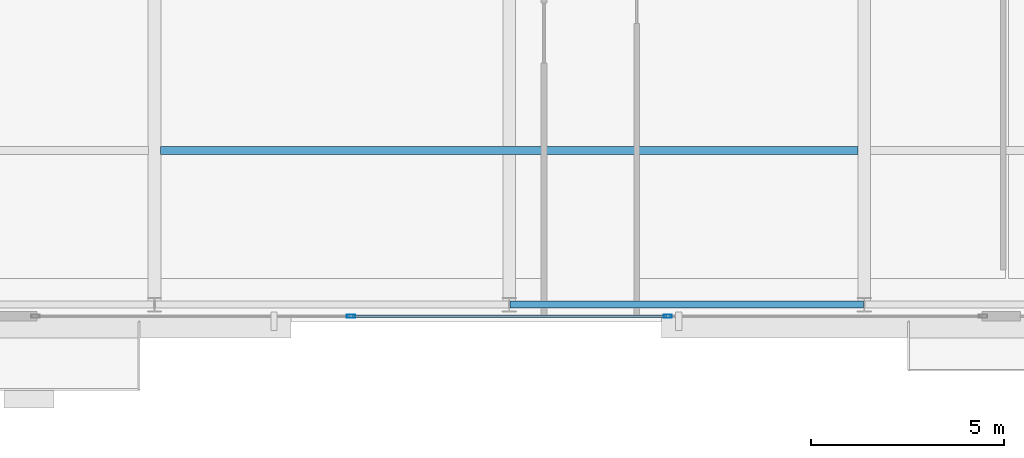
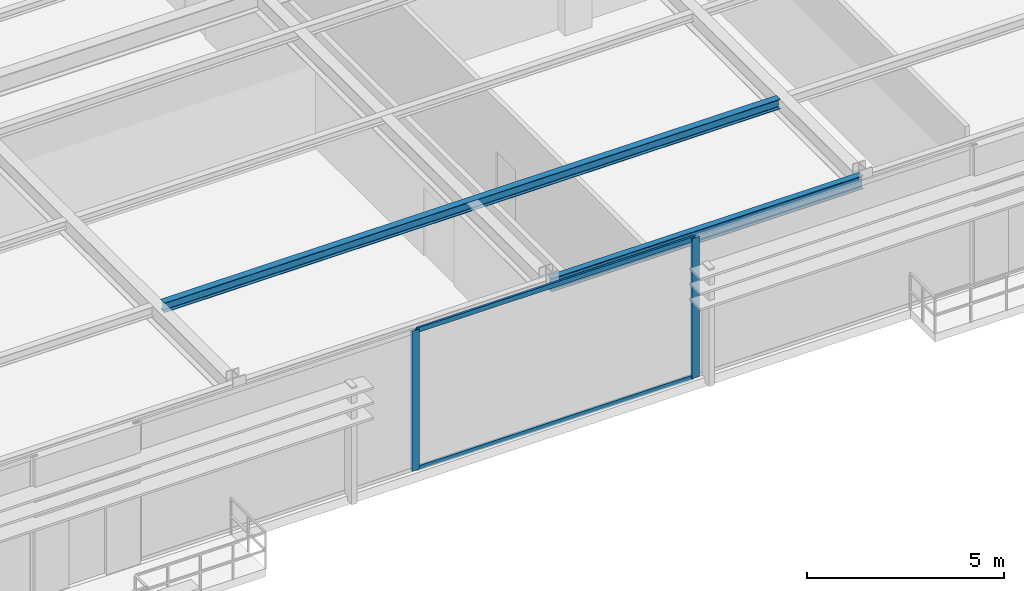
# One storey, part 8 of 25: 4 members, 2 beams, 1 element without a shape of its own.
"""IFC4 building model written with IfcOpenShell, lengths in metres."""

from ifc_helpers import new_model, si_unit, direction, frame, origin, origin_2d, place, context, subcontext, project, spatial, hollow_rectangle, i_section, extrude, source, transform, mapped, material, layer, layer_set, material_profile, profile_set, type_object, type_shapes, element, aggregate, save


model = new_model("IFC4")

# Units and contexts
model_context = context("Model", 3, precision=1e-05, world=origin(), true_north=direction((0.0, 1.0)))
body_context = subcontext(model_context, "Body", "Model", "MODEL_VIEW")
ifc_project = project(units=[si_unit("LENGTHUNIT", "METRE"), si_unit("AREAUNIT", "SQUARE_METRE"), si_unit("VOLUMEUNIT", "CUBIC_METRE"), si_unit("PLANEANGLEUNIT", "RADIAN"), si_unit("MASSUNIT", "GRAM", prefix="KILO")], contexts=[model_context])

# Site, building, storey
site_placement = place(None, origin())
site = spatial("IfcSite", under=ifc_project, at=site_placement, CompositionType="ELEMENT")
building_placement = place(site_placement, origin())
building = spatial("IfcBuilding", under=site, at=building_placement, Name="Varnel Quay Broadcast Tower", CompositionType="ELEMENT")
storey_placement = place(building_placement, frame((0.0, 0.0, 191.39990234375)))
storey = spatial("IfcBuildingStorey", under=building, at=storey_placement, Name="L47", CompositionType="ELEMENT", Elevation=191.39990234375)

# Beams
ifc_material_1 = material(Name="Structural Steel CSA G40.21 350W", Category="steel")
ifc_material_profile_1 = material_profile(ifc_material_1, i_section(OverallWidth=0.180908203125, OverallDepth=0.4169921875, WebThickness=0.010986328125, FlangeThickness=0.018310546875, FilletRadius=0.011962890625, at=origin_2d()), Name="W410X85")
ifc_profile_set_1 = profile_set([ifc_material_profile_1], Name="Structural Steel CSA G40.21 350W")
beam_type_1 = type_object("IfcBeamType", Name="Beam_W410X85", PredefinedType="SPANDREL", material=ifc_profile_set_1)
shared_shape_1 = source(origin(), body_context, "Body", "SweptSolid", [
    extrude(i_section(OverallWidth=0.180908203125, OverallDepth=0.4169921875, WebThickness=0.010986328125, FlangeThickness=0.018310546875, FilletRadius=0.011962890625, at=origin_2d()), origin(), (0.0, 0.0, 1.0), 9.159912109375),
])
type_shapes(beam_type_1, [shared_shape_1])
beam_1_placement = place(storey_placement, frame((34.02001953125, 7.64990234375, 4.1416015625), z_axis=(1.0, 0.0, 0.0), x_axis=(0.0, 1.0, 0.0)))
element("IfcBeam", 1, at=beam_1_placement, inside=storey, type_object=beam_type_1, Name="L47 South Spandrel TC-S3-TC-S4", PredefinedType="SPANDREL", context=body_context, shape_type="MappedRepresentation", body=[
    mapped(shared_shape_1, transform((0.0, 0.0, 0.0), x_axis=(1.0, 0.0, 0.0), y_axis=(0.0, 1.0, 0.0), z_axis=(0.0, 0.0, 1.0), scale=1.0)),
])
ifc_material_profile_2 = material_profile(ifc_material_1, i_section(OverallWidth=0.202880859375, OverallDepth=0.302978515625, WebThickness=0.007568359375, FlangeThickness=0.01318359375, FilletRadius=0.011962890625, at=origin_2d()), Name="W310X60")
ifc_profile_set_2 = profile_set([ifc_material_profile_2], Name="Structural Steel CSA G40.21 350W")
beam_type_2 = type_object("IfcBeamType", Name="Beam_W310X60", PredefinedType="JOIST", material=ifc_profile_set_2)
shared_shape_2 = source(origin(), body_context, "Body", "SweptSolid", [
    extrude(i_section(OverallWidth=0.202880859375, OverallDepth=0.302978515625, WebThickness=0.007568359375, FlangeThickness=0.01318359375, FilletRadius=0.011962890625, at=origin_2d()), origin(), (0.0, 0.0, 1.0), 18.0849609375),
])
type_shapes(beam_type_2, [shared_shape_2])
beam_2_placement = place(storey_placement, frame((24.95751953125, 11.64990234375, 4.198486328125), z_axis=(1.0, 0.0, 0.0), x_axis=(0.0, 1.0, 0.0)))
element("IfcBeam", 2, at=beam_2_placement, inside=storey, type_object=beam_type_2, Name="L47 Central Floor Joist 1", PredefinedType="JOIST", context=body_context, shape_type="MappedRepresentation", body=[
    mapped(shared_shape_2, transform((0.0, 0.0, 0.0), x_axis=(1.0, 0.0, 0.0), y_axis=(0.0, 1.0, 0.0), z_axis=(0.0, 0.0, 1.0), scale=1.0)),
])

# Curtain wall, members
ifc_material_2 = material(Name="Anodised Bronze Aluminium 6063-T6", Category="aluminium")
ifc_layer = layer(ifc_material_2, 0.18994140625, Name="Anodised Bronze Aluminium 6063-T6")
ifc_layer_set = layer_set([ifc_layer], Name="Anodised Bronze Aluminium 6063-T6")
curtain_wall_type = type_object("IfcCurtainWallType", Name="CW_SkyObsHighVis", PredefinedType="NOTDEFINED", material=ifc_layer_set)
curtain_wall_placement = place(storey_placement, origin())
curtain_wall = element("IfcCurtainWall", 3, at=curtain_wall_placement, inside=storey, type_object=curtain_wall_type, Name="L47 South Unitised Curtain Wall 2", PredefinedType="NOTDEFINED")
ifc_material_profile_3 = material_profile(ifc_material_2, hollow_rectangle(XDim=0.074951171875, YDim=0.219970703125, WallThickness=0.00390625, at=origin_2d()), Name="ALU75X220X4")
ifc_profile_set_3 = profile_set([ifc_material_profile_3], Name="Anodised Bronze Aluminium 6063-T6")
member_type_1 = type_object("IfcMemberType", Name="Mull_CWS-05", PredefinedType="MULLION", material=ifc_profile_set_3)
shared_shape_3 = source(origin(), body_context, "Body", "SweptSolid", [
    extrude(hollow_rectangle(XDim=0.074951171875, YDim=0.219970703125, WallThickness=0.00390625, at=origin_2d()), origin(), (0.0, 0.0, 1.0), 4.35009765625),
])
type_shapes(member_type_1, [shared_shape_3])
member_1_placement = place(storey_placement, frame((29.893310546875, 7.35009765625, 0.0), z_axis=(0.0, 0.0, 1.0), x_axis=(0.0, 1.0, 0.0)))
member_1 = element("IfcMember", 4, at=member_1_placement, type_object=member_type_1, Name="CWS-05 mullion 2", PredefinedType="MULLION", context=body_context, shape_type="MappedRepresentation", body=[
    mapped(shared_shape_3, transform((0.0, 0.0, 0.0), x_axis=(1.0, 0.0, 0.0), y_axis=(0.0, 1.0, 0.0), z_axis=(0.0, 0.0, 1.0), scale=1.0)),
])
member_2_placement = place(storey_placement, frame((38.106689453125, 7.35009765625, 0.0), z_axis=(0.0, 0.0, 1.0), x_axis=(0.0, 1.0, 0.0)))
member_2 = element("IfcMember", 5, at=member_2_placement, type_object=member_type_1, Name="CWS-05 mullion 3", PredefinedType="MULLION", context=body_context, shape_type="MappedRepresentation", body=[
    mapped(shared_shape_3, transform((0.0, 0.0, 0.0), x_axis=(1.0, 0.0, 0.0), y_axis=(0.0, 1.0, 0.0), z_axis=(0.0, 0.0, 1.0), scale=1.0)),
])
ifc_material_profile_4 = material_profile(ifc_material_2, hollow_rectangle(XDim=0.06005859375, YDim=0.14501953125, WallThickness=0.00341796875, at=origin_2d()), Name="ALU60X145X3.5")
ifc_profile_set_4 = profile_set([ifc_material_profile_4], Name="Anodised Bronze Aluminium 6063-T6")
member_type_2 = type_object("IfcMemberType", Name="Tran_CWS-05", PredefinedType="USERDEFINED", material=ifc_profile_set_4)
shared_shape_4 = source(origin(), body_context, "Body", "SweptSolid", [
    extrude(hollow_rectangle(XDim=0.06005859375, YDim=0.14501953125, WallThickness=0.00341796875, at=origin_2d()), origin(), (0.0, 0.0, 1.0), 8.13818359375),
])
type_shapes(member_type_2, [shared_shape_4])
member_3_placement = place(storey_placement, frame((29.930908203125, 7.35009765625, 0.030029296875), z_axis=(1.0, 0.0, 0.0), x_axis=(0.0, 1.0, 0.0)))
member_3 = element("IfcMember", 6, at=member_3_placement, type_object=member_type_2, Name="CWS-05 transom 2.1", ObjectType="TRANSOM", PredefinedType="USERDEFINED", context=body_context, shape_type="MappedRepresentation", body=[
    mapped(shared_shape_4, transform((0.0, 0.0, 0.0), x_axis=(1.0, 0.0, 0.0), y_axis=(0.0, 1.0, 0.0), z_axis=(0.0, 0.0, 1.0), scale=1.0)),
])
member_4_placement = place(storey_placement, frame((29.930908203125, 7.35009765625, 4.320068359375), z_axis=(1.0, 0.0, 0.0), x_axis=(0.0, 1.0, 0.0)))
member_4 = element("IfcMember", 7, at=member_4_placement, type_object=member_type_2, Name="CWS-05 transom 2.2", ObjectType="TRANSOM", PredefinedType="USERDEFINED", context=body_context, shape_type="MappedRepresentation", body=[
    mapped(shared_shape_4, transform((0.0, 0.0, 0.0), x_axis=(1.0, 0.0, 0.0), y_axis=(0.0, 1.0, 0.0), z_axis=(0.0, 0.0, 1.0), scale=1.0)),
])
aggregate(curtain_wall, [member_1, member_2, member_3, member_4])

save(model, "model.ifc")
